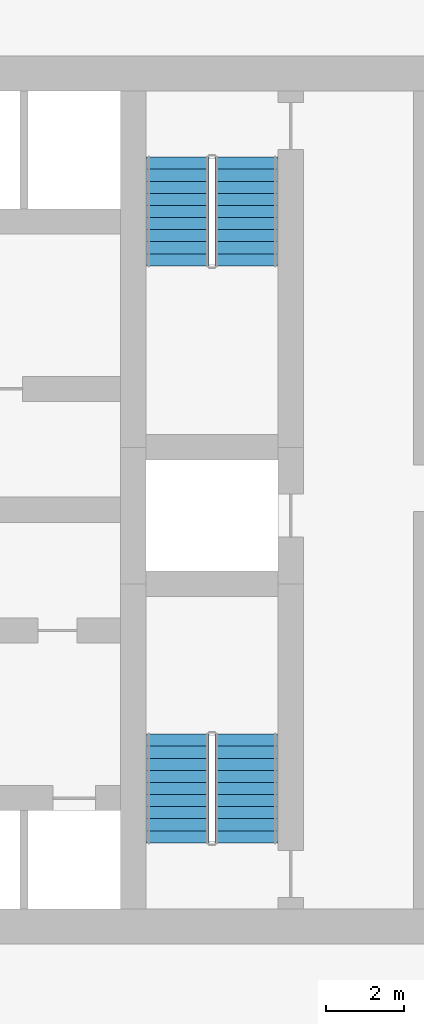
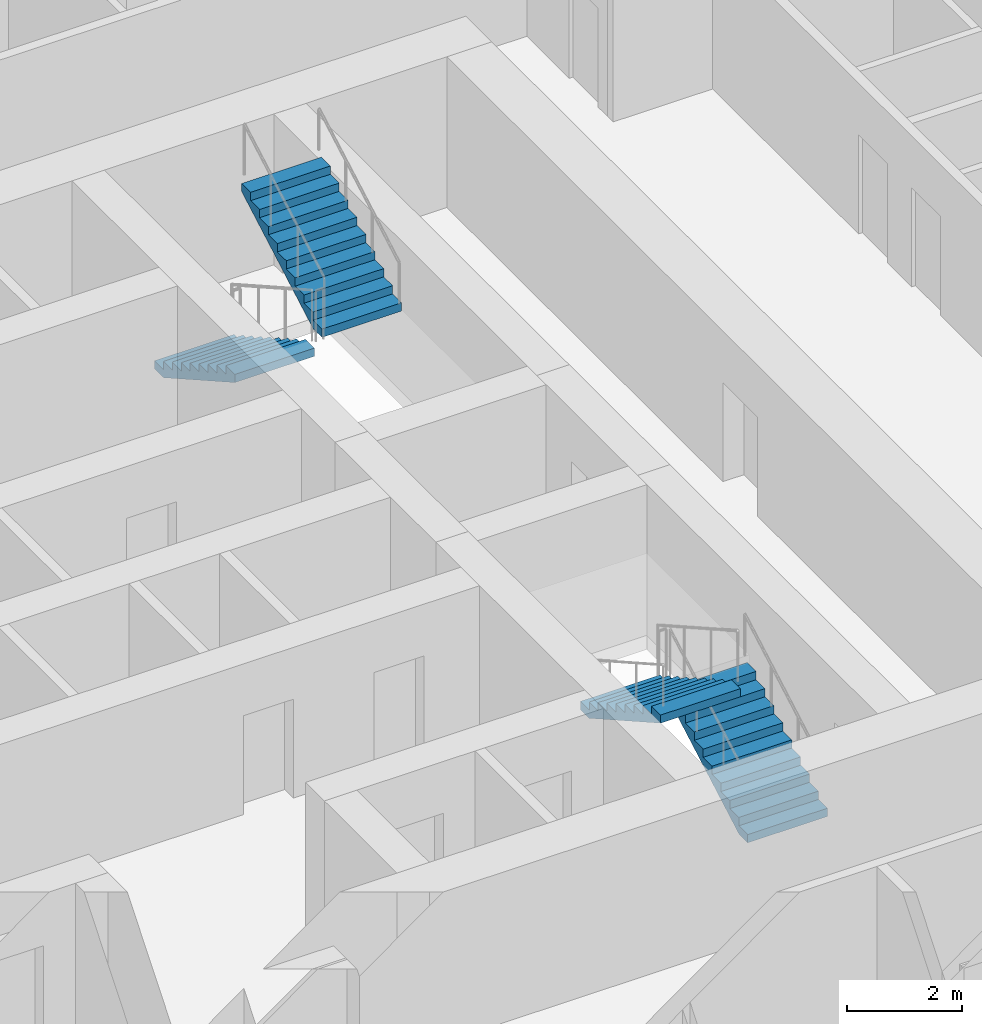
# One storey, part 16 of 22: 4 stair flights, 2 elements without a shape of their own.
"""IFC4 building model written with IfcOpenShell, lengths in metres."""

from ifc_helpers import new_model, si_unit, direction, frame, origin, place, context, subcontext, project, spatial, polyline, outline, extrude, material, type_object, element, aggregate, save


model = new_model("IFC4")

# Units and contexts
model_context = context("Model", 3, precision=1e-05, world=origin(), true_north=direction((0.0, 1.0)))
body_context = subcontext(model_context, "Body", "Model", "MODEL_VIEW")
ifc_project = project(units=[si_unit("LENGTHUNIT", "METRE"), si_unit("AREAUNIT", "SQUARE_METRE"), si_unit("VOLUMEUNIT", "CUBIC_METRE"), si_unit("PLANEANGLEUNIT", "RADIAN"), si_unit("MASSUNIT", "GRAM", prefix="KILO")], contexts=[model_context])

# Site, building, storey
site_placement = place(None, origin())
site = spatial("IfcSite", under=ifc_project, at=site_placement, CompositionType="ELEMENT")
building_placement = place(site_placement, origin())
building = spatial("IfcBuilding", under=site, at=building_placement, Name="Madar Terraces", CompositionType="ELEMENT")
storey_placement = place(building_placement, frame((0.0, 0.0, 99.699951171875)))
storey = spatial("IfcBuildingStorey", under=building, at=storey_placement, Name="L25", CompositionType="ELEMENT", Elevation=99.699951171875)

# Stair, stair flights
ifc_material_1 = material(Name="Concrete C50/60", Category="concrete")
stair_type_1 = type_object("IfcStairType", Name="Stair ST2 protected exit", PredefinedType="HALF_TURN_STAIR", material=ifc_material_1)
stair_1_placement = place(storey_placement, origin())
stair_1 = element("IfcStair", 1, at=stair_1_placement, inside=storey, type_object=stair_type_1, Name="L25 Protected Exit Stair ST2", PredefinedType="HALF_TURN_STAIR")
ifc_material_2 = material(Name="Concrete C50/60", Category="concrete")
stair_flight_type_1 = type_object("IfcStairFlightType", Name="Stair flight ST2-F4, 1600 wide, 10 risers", PredefinedType="STRAIGHT", material=ifc_material_2)
stair_flight_1_placement = place(storey_placement, frame((40.449951171875, 35.199951171875, 0.0), z_axis=(0.0, 0.0, 1.0), x_axis=(0.0, -1.0, 0.0)))
stair_flight_1 = element("IfcStairFlight", 2, at=stair_flight_1_placement, type_object=stair_flight_type_1, Name="ST2 flight 1", NumberOfRisers=10, NumberOfTreads=9, PredefinedType="STRAIGHT", RiserHeight=0.175, TreadLength=0.31, context=body_context, shape_type="SweptSolid", body=[
    extrude(outline(polyline([(0.0, 0.0), (0.0, 0.175048828125), (0.31005859375, 0.175048828125), (0.31005859375, 0.35009765625), (0.6201171875, 0.35009765625), (0.6201171875, 0.52490234375), (0.929931640625, 0.52490234375), (0.929931640625, 0.699951171875), (1.239990234375, 0.699951171875), (1.239990234375, 0.875), (1.550048828125, 0.875), (1.550048828125, 1.050048828125), (1.860107421875, 1.050048828125), (1.860107421875, 1.22509765625), (2.169921875, 1.22509765625), (2.169921875, 1.39990234375), (2.47998046875, 1.39990234375), (2.47998046875, 1.574951171875), (2.7900390625, 1.574951171875), (2.7900390625, 1.75), (2.7900390625, 1.40283203125), (0.304931640625, 0.0), (0.0, 0.0)])), frame((0.0, 0.800048828125, 0.0), z_axis=(0.0, -1.0, 0.0), x_axis=(1.0, 0.0, 0.0)), (0.0, 0.0, 1.0), 1.60009765625),
])
stair_flight_2_placement = place(storey_placement, frame((42.199951171875, 32.409912109375, 1.75), z_axis=(0.0, 0.0, 1.0), x_axis=(0.0, 1.0, 0.0)))
stair_flight_2 = element("IfcStairFlight", 3, at=stair_flight_2_placement, type_object=stair_flight_type_1, Name="ST2 flight 2", NumberOfRisers=10, NumberOfTreads=9, PredefinedType="STRAIGHT", RiserHeight=0.175, TreadLength=0.31, context=body_context, shape_type="SweptSolid", body=[
    extrude(outline(polyline([(0.0, 0.0), (0.0, 0.175048828125), (0.31005859375, 0.175048828125), (0.31005859375, 0.35009765625), (0.6201171875, 0.35009765625), (0.6201171875, 0.52490234375), (0.929931640625, 0.52490234375), (0.929931640625, 0.699951171875), (1.239990234375, 0.699951171875), (1.239990234375, 0.875), (1.550048828125, 0.875), (1.550048828125, 1.050048828125), (1.860107421875, 1.050048828125), (1.860107421875, 1.22509765625), (2.169921875, 1.22509765625), (2.169921875, 1.39990234375), (2.47998046875, 1.39990234375), (2.47998046875, 1.574951171875), (2.7900390625, 1.574951171875), (2.7900390625, 1.75), (2.7900390625, 1.40283203125), (0.304931640625, 0.0), (0.0, 0.0)])), frame((0.0, 0.800048828125, 0.0), z_axis=(0.0, -1.0, 0.0), x_axis=(1.0, 0.0, 0.0)), (0.0, 0.0, 1.0), 1.60009765625),
])
aggregate(stair_1, [stair_flight_1, stair_flight_2])

ifc_material_3 = material(Name="Concrete C50/60", Category="concrete")
stair_type_2 = type_object("IfcStairType", Name="Stair ST3 protected exit", PredefinedType="HALF_TURN_STAIR", material=ifc_material_3)
stair_2_placement = place(storey_placement, origin())
stair_2 = element("IfcStair", 4, at=stair_2_placement, inside=storey, type_object=stair_type_2, Name="L25 Protected Exit Stair ST3", PredefinedType="HALF_TURN_STAIR")
ifc_material_4 = material(Name="Concrete C50/60", Category="concrete")
stair_flight_type_2 = type_object("IfcStairFlightType", Name="Stair flight ST3-F4, 1600 wide, 10 risers", PredefinedType="STRAIGHT", material=ifc_material_4)
stair_flight_3_placement = place(storey_placement, frame((42.199951171875, 17.60009765625, 0.0), z_axis=(0.0, 0.0, 1.0), x_axis=(0.0, 1.0, 0.0)))
stair_flight_3 = element("IfcStairFlight", 5, at=stair_flight_3_placement, type_object=stair_flight_type_2, Name="ST3 flight 1", NumberOfRisers=10, NumberOfTreads=9, PredefinedType="STRAIGHT", RiserHeight=0.175, TreadLength=0.31, context=body_context, shape_type="SweptSolid", body=[
    extrude(outline(polyline([(0.0, 0.0), (0.0, 0.175048828125), (0.31005859375, 0.175048828125), (0.31005859375, 0.35009765625), (0.6201171875, 0.35009765625), (0.6201171875, 0.52490234375), (0.929931640625, 0.52490234375), (0.929931640625, 0.699951171875), (1.239990234375, 0.699951171875), (1.239990234375, 0.875), (1.550048828125, 0.875), (1.550048828125, 1.050048828125), (1.860107421875, 1.050048828125), (1.860107421875, 1.22509765625), (2.169921875, 1.22509765625), (2.169921875, 1.39990234375), (2.47998046875, 1.39990234375), (2.47998046875, 1.574951171875), (2.7900390625, 1.574951171875), (2.7900390625, 1.75), (2.7900390625, 1.40283203125), (0.304931640625, 0.0), (0.0, 0.0)])), frame((0.0, 0.800048828125, 0.0), z_axis=(0.0, -1.0, 0.0), x_axis=(1.0, 0.0, 0.0)), (0.0, 0.0, 1.0), 1.60009765625),
])
stair_flight_4_placement = place(storey_placement, frame((40.449951171875, 20.389892578125, 1.75), z_axis=(0.0, 0.0, 1.0), x_axis=(0.0, -1.0, 0.0)))
stair_flight_4 = element("IfcStairFlight", 6, at=stair_flight_4_placement, type_object=stair_flight_type_2, Name="ST3 flight 2", NumberOfRisers=10, NumberOfTreads=9, PredefinedType="STRAIGHT", RiserHeight=0.175, TreadLength=0.31, context=body_context, shape_type="SweptSolid", body=[
    extrude(outline(polyline([(0.0, 0.0), (0.0, 0.175048828125), (0.31005859375, 0.175048828125), (0.31005859375, 0.35009765625), (0.6201171875, 0.35009765625), (0.6201171875, 0.52490234375), (0.929931640625, 0.52490234375), (0.929931640625, 0.699951171875), (1.239990234375, 0.699951171875), (1.239990234375, 0.875), (1.550048828125, 0.875), (1.550048828125, 1.050048828125), (1.860107421875, 1.050048828125), (1.860107421875, 1.22509765625), (2.169921875, 1.22509765625), (2.169921875, 1.39990234375), (2.47998046875, 1.39990234375), (2.47998046875, 1.574951171875), (2.7900390625, 1.574951171875), (2.7900390625, 1.75), (2.7900390625, 1.40283203125), (0.304931640625, 0.0), (0.0, 0.0)])), frame((0.0, 0.800048828125, 0.0), z_axis=(0.0, -1.0, 0.0), x_axis=(1.0, 0.0, 0.0)), (0.0, 0.0, 1.0), 1.60009765625),
])
aggregate(stair_2, [stair_flight_3, stair_flight_4])

save(model, "model.ifc")
